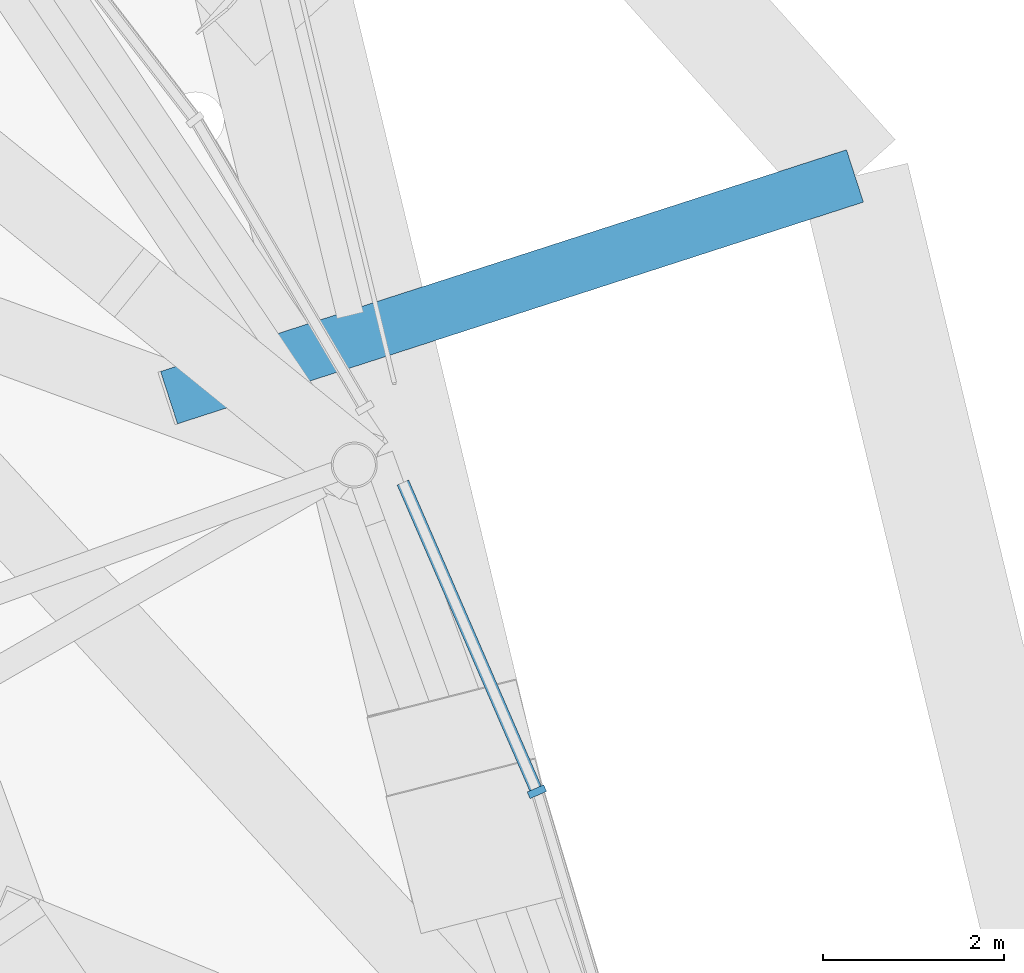
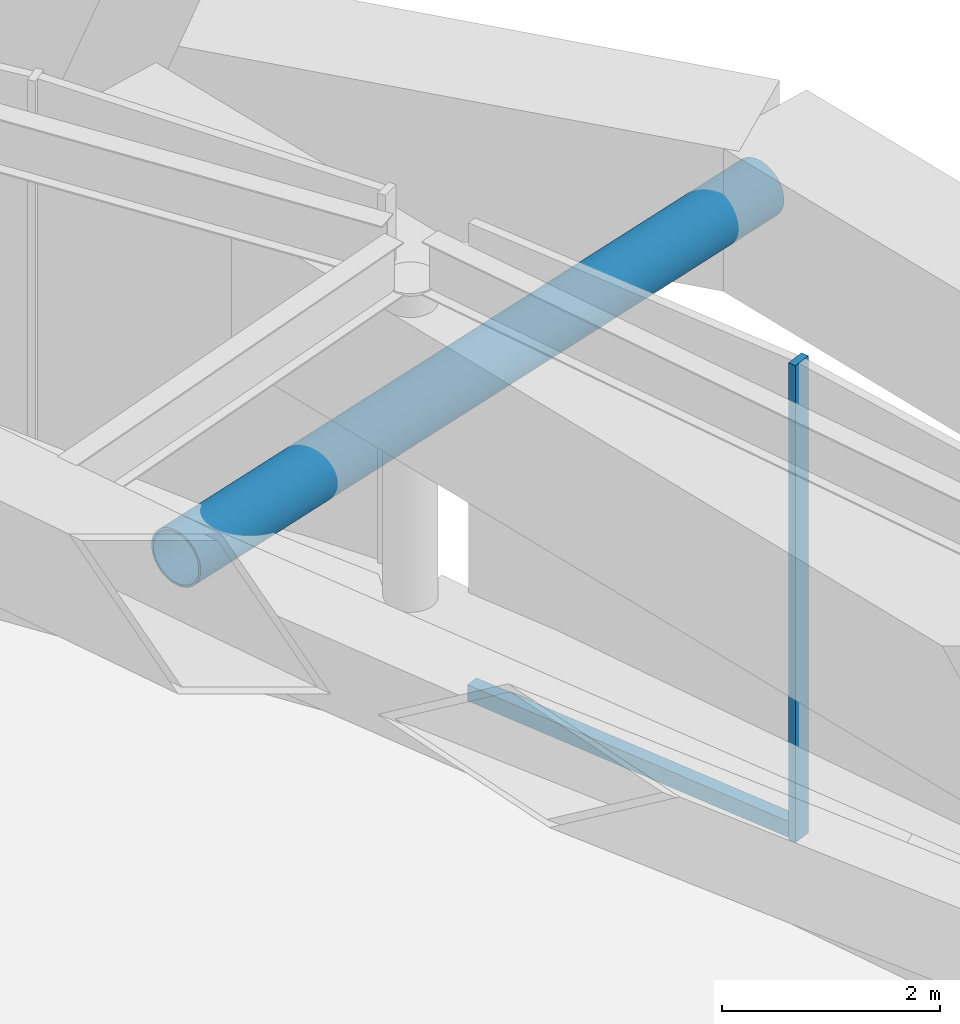
# One storey, part 30 of 51: 3 members, 1 element without a shape of its own.
"""IFC4 building model written with IfcOpenShell, lengths in metres."""

from ifc_helpers import new_model, si_unit, direction, frame, origin, origin_2d, place, context, subcontext, project, spatial, rectangle, hollow_circle, extrude, material, layer, layer_set, material_profile, profile_set, type_object, element, aggregate, save


model = new_model("IFC4")

# Units and contexts
model_context = context("Model", 3, precision=1e-05, world=origin(), true_north=direction((0.0, 1.0)))
body_context = subcontext(model_context, "Body", "Model", "MODEL_VIEW")
ifc_project = project(units=[si_unit("LENGTHUNIT", "METRE"), si_unit("AREAUNIT", "SQUARE_METRE"), si_unit("VOLUMEUNIT", "CUBIC_METRE"), si_unit("PLANEANGLEUNIT", "RADIAN"), si_unit("MASSUNIT", "GRAM", prefix="KILO")], contexts=[model_context])

# Site, building, storey
site_placement = place(None, origin())
site = spatial("IfcSite", under=ifc_project, at=site_placement, CompositionType="ELEMENT")
building_placement = place(site_placement, origin())
building = spatial("IfcBuilding", under=site, at=building_placement, Name="Nagisa Residences", CompositionType="ELEMENT")
storey_placement = place(building_placement, frame((0.0, 0.0, 67.699951171875)))
storey = spatial("IfcBuildingStorey", under=building, at=storey_placement, Name="L16", CompositionType="ELEMENT", Elevation=67.699951171875)

# Curtain wall, members
ifc_material_1 = material(Name="Aluminium curtain wall system", Category="aluminium")
ifc_layer = layer(ifc_material_1, 0.159912109375)
ifc_layer_set = layer_set([ifc_layer], Name="CW2 CURTAIN WALL")
curtain_wall_type = type_object("IfcCurtainWallType", Name="CW2 CURTAIN WALL", PredefinedType="NOTDEFINED", material=ifc_layer_set)
curtain_wall_placement = place(storey_placement, origin())
curtain_wall = element("IfcCurtainWall", 1, at=curtain_wall_placement, inside=storey, type_object=curtain_wall_type, Name="cw:CW2:L16:03", PredefinedType="NOTDEFINED")
ifc_material_2 = material(Name="Aluminium", Category="aluminium")
ifc_material_profile_1 = material_profile(ifc_material_2, rectangle(XDim=0.199951171875, YDim=0.080078125, at=origin_2d()), Name="CW2 MULLION 200x80")
ifc_profile_set_1 = profile_set([ifc_material_profile_1], Name="Aluminium")
member_type_1 = type_object("IfcMemberType", Name="CW2 MULLION 200x80", PredefinedType="MULLION", material=ifc_profile_set_1)
member_1_placement = place(storey_placement, frame((30.30322265625, 12.633544921875, 0.0), z_axis=(0.0, 0.0, 1.0), x_axis=(-0.917543276295, -0.397635934147, 0.0)))
member_1 = element("IfcMember", 2, at=member_1_placement, type_object=member_type_1, Name="CW2 mullion", PredefinedType="MULLION", context=body_context, shape_type="SweptSolid", body=[
    extrude(rectangle(XDim=0.199951171875, YDim=0.080078125, at=origin_2d()), origin(), (0.0, 0.0, 1.0), 5.340087890625),
])
ifc_material_3 = material(Name="Aluminium", Category="aluminium")
ifc_material_profile_2 = material_profile(ifc_material_3, rectangle(XDim=0.139892578125, YDim=0.179931640625, at=origin_2d()), Name="CW2 TRANSOM 140x180")
ifc_profile_set_2 = profile_set([ifc_material_profile_2], Name="Aluminium")
member_type_2 = type_object("IfcMemberType", Name="CW2 TRANSOM 140x180", PredefinedType="USERDEFINED", material=ifc_profile_set_2)
member_2_placement = place(storey_placement, frame((30.319091796875, 12.5966796875, 0.090087890625), z_axis=(-0.397629250024, 0.917546172966, 0.0), x_axis=(-0.917546172966, -0.397629250024, 0.0)))
member_2 = element("IfcMember", 3, at=member_2_placement, type_object=member_type_2, Name="CW2 transom", ObjectType="TRANSOM", PredefinedType="USERDEFINED", context=body_context, shape_type="SweptSolid", body=[
    extrude(rectangle(XDim=0.139892578125, YDim=0.179931640625, at=origin_2d()), origin(), (0.0, 0.0, 1.0), 3.769287109375),
])
aggregate(curtain_wall, [member_1, member_2])

# Member
ifc_material_4 = material(Name="Steel ASTM A572 Gr 65", Category="steel")
ifc_material_profile_3 = material_profile(ifc_material_4, hollow_circle(Radius=0.304931640625, WallThickness=0.02490234375, at=origin_2d()), Name="CHS 610x25")
ifc_profile_set_3 = profile_set([ifc_material_profile_3], Name="Steel ASTM A572 Gr 65")
member_type_3 = type_object("IfcMemberType", Name="Cage strut CHS 610x25", PredefinedType="STRUT", material=ifc_profile_set_3)
member_3_placement = place(storey_placement, frame((33.82421875, 19.449951171875, 1.900146484375), z_axis=(-0.951534872915, -0.307540868221, 0.0), x_axis=(0.307540868221, -0.951534872915, 0.0)))
element("IfcMember", 4, at=member_3_placement, inside=storey, type_object=member_type_3, Name="mem:L16:bt1st1a02", PredefinedType="STRUT", context=body_context, shape_type="SweptSolid", body=[
    extrude(hollow_circle(Radius=0.304931640625, WallThickness=0.02490234375, at=origin_2d()), origin(), (0.0, 0.0, 1.0), 7.979736328125),
])

save(model, "model.ifc")
